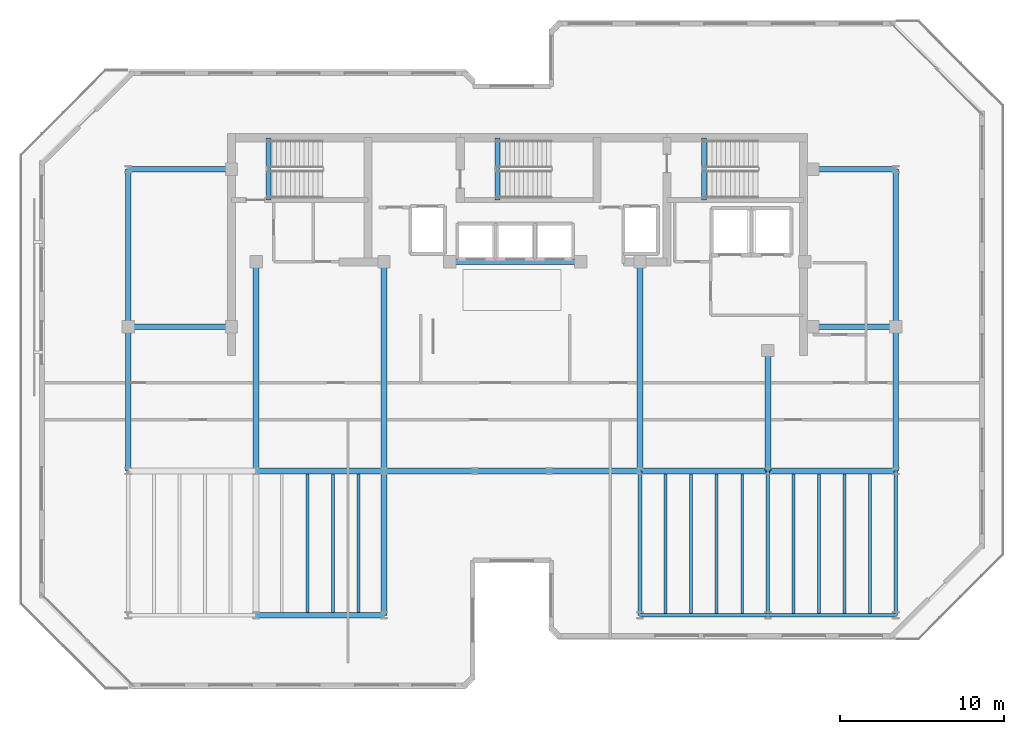
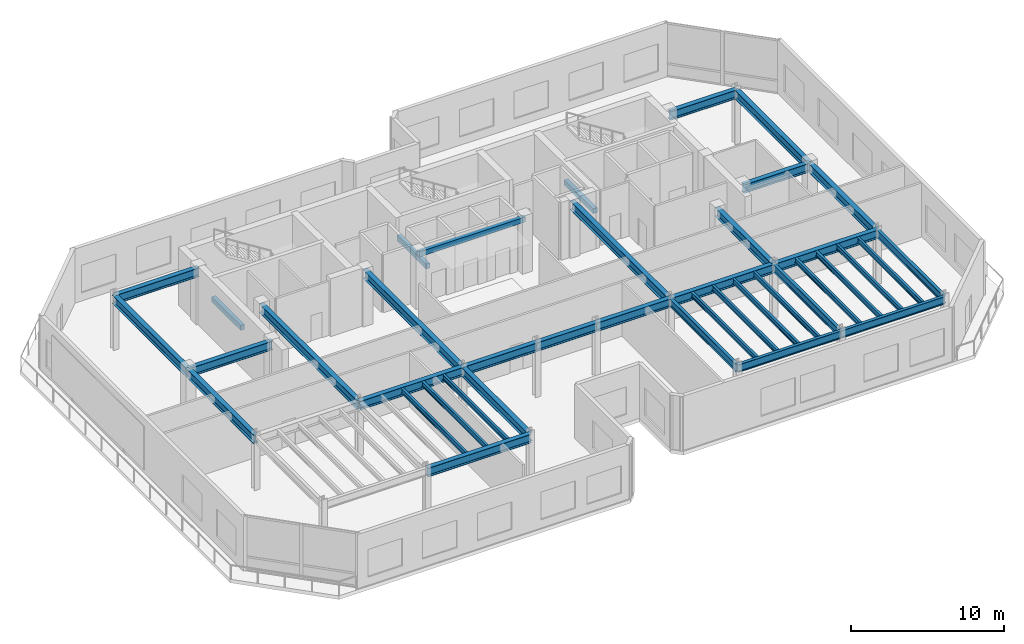
# One storey, part 3 of 12: 40 beams.
"""IFC4 building model written with IfcOpenShell, lengths in metres."""

from ifc_helpers import new_model, si_unit, direction, frame, origin, origin_2d, place, context, subcontext, project, spatial, rectangle, i_section, extrude, material, material_profile, profile_set, type_object, element, save


model = new_model("IFC4")

# Units and contexts
model_context = context("Model", 3, precision=1e-05, world=origin(), true_north=direction((0.0, 1.0)))
body_context = subcontext(model_context, "Body", "Model", "MODEL_VIEW")
ifc_project = project(units=[si_unit("LENGTHUNIT", "METRE"), si_unit("AREAUNIT", "SQUARE_METRE"), si_unit("VOLUMEUNIT", "CUBIC_METRE"), si_unit("PLANEANGLEUNIT", "RADIAN"), si_unit("MASSUNIT", "GRAM", prefix="KILO")], contexts=[model_context])

# Site, building, storey
site_placement = place(None, origin())
site = spatial("IfcSite", under=ifc_project, at=site_placement, CompositionType="ELEMENT")
building_placement = place(site_placement, origin())
building = spatial("IfcBuilding", under=site, at=building_placement, Name="Kestravale Grand Hotel", CompositionType="ELEMENT")
storey_placement = place(building_placement, frame((0.0, 0.0, 302.0)))
storey = spatial("IfcBuildingStorey", under=building, at=storey_placement, Name="L75", CompositionType="ELEMENT", Elevation=302.0)

# Beams
ifc_material_1 = material(Name="Steel ASTM A992 Grade 50", Category="steel")
ifc_material_profile_1 = material_profile(ifc_material_1, i_section(OverallWidth=0.177978515625, OverallDepth=0.404052734375, WebThickness=0.007568359375, FlangeThickness=0.010986328125, FilletRadius=0.01416015625, at=origin_2d()))
ifc_profile_set_1 = profile_set([ifc_material_profile_1], Name="Steel ASTM A992 Grade 50")
beam_type_1 = type_object("IfcBeamType", Name="B-FLR-JST16", PredefinedType="JOIST", material=ifc_profile_set_1)
for number, where, z_axis, x_axis, name in (
    (1, (26.52001953125, 11.3779296875, 4.10791015625), (0.0, 1.0, 0.0), (-1.0, 0.0, 0.0), "L75 floor joist 4-5/C-D #2"),
    (2, (28.080078125, 11.3779296875, 4.10791015625), (0.0, 1.0, 0.0), (-1.0, 0.0, 0.0), "L75 floor joist 4-5/C-D #3"),
    (3, (29.639892578125, 11.3779296875, 4.10791015625), (0.0, 1.0, 0.0), (-1.0, 0.0, 0.0), "L75 floor joist 4-5/C-D #4"),
):
    element("IfcBeam", number, at=place(storey_placement, frame(where, z_axis=z_axis, x_axis=x_axis)), inside=storey, type_object=beam_type_1, Name=name, PredefinedType="JOIST", context=body_context, shape_type="SweptSolid", body=[
        extrude(i_section(OverallWidth=0.177978515625, OverallDepth=0.404052734375, WebThickness=0.007568359375, FlangeThickness=0.010986328125, FilletRadius=0.01416015625, at=origin_2d()), origin(), (0.0, 0.0, 1.0), 8.444091796875),
    ])
for number, where, z_axis, x_axis, name in (
    (4, (48.360107421875, 11.314453125, 4.10791015625), (0.0, 1.0, 0.0), (-1.0, 0.0, 0.0), "L75 floor joist 8-9/C-D #1"),
    (5, (49.919921875, 11.314453125, 4.10791015625), (0.0, 1.0, 0.0), (-1.0, 0.0, 0.0), "L75 floor joist 8-9/C-D #2"),
    (6, (51.47998046875, 11.314453125, 4.10791015625), (0.0, 1.0, 0.0), (-1.0, 0.0, 0.0), "L75 floor joist 8-9/C-D #3"),
    (7, (53.0400390625, 11.314453125, 4.10791015625), (0.0, 1.0, 0.0), (-1.0, 0.0, 0.0), "L75 floor joist 8-9/C-D #4"),
    (8, (56.159912109375, 11.314453125, 4.10791015625), (0.0, 1.0, 0.0), (-1.0, 0.0, 0.0), "L75 floor joist 9-10/C-D #1"),
    (9, (57.719970703125, 11.314453125, 4.10791015625), (0.0, 1.0, 0.0), (-1.0, 0.0, 0.0), "L75 floor joist 9-10/C-D #2"),
    (10, (59.280029296875, 11.314453125, 4.10791015625), (0.0, 1.0, 0.0), (-1.0, 0.0, 0.0), "L75 floor joist 9-10/C-D #3"),
    (11, (60.840087890625, 11.314453125, 4.10791015625), (0.0, 1.0, 0.0), (-1.0, 0.0, 0.0), "L75 floor joist 9-10/C-D #4"),
):
    element("IfcBeam", number, at=place(storey_placement, frame(where, z_axis=z_axis, x_axis=x_axis)), inside=storey, type_object=beam_type_1, Name=name, PredefinedType="JOIST", context=body_context, shape_type="SweptSolid", body=[
        extrude(i_section(OverallWidth=0.177978515625, OverallDepth=0.404052734375, WebThickness=0.007568359375, FlangeThickness=0.010986328125, FilletRadius=0.01416015625, at=origin_2d()), origin(), (0.0, 0.0, 1.0), 8.507568359375),
    ])
ifc_material_2 = material(Name="Concrete f'c 45 MPa", Category="concrete")
ifc_material_profile_2 = material_profile(ifc_material_2, rectangle(XDim=0.300048828125, YDim=0.39990234375, at=origin_2d()))
ifc_profile_set_2 = profile_set([ifc_material_profile_2], Name="Concrete f'c 45 MPa")
beam_type_2 = type_object("IfcBeamType", Name="B-FLR-LNT400", PredefinedType="LINTEL", material=ifc_profile_set_2)
beam_1_placement = place(storey_placement, frame((35.199951171875, 32.75, 4.110107421875), z_axis=(1.0, 0.0, 0.0), x_axis=(0.0, 1.0, 0.0)))
element("IfcBeam", 12, at=beam_1_placement, inside=storey, type_object=beam_type_2, Name="L75 core portal header lintel", PredefinedType="LINTEL", context=body_context, shape_type="SweptSolid", body=[
    extrude(rectangle(XDim=0.300048828125, YDim=0.39990234375, at=origin_2d()), origin(), (0.0, 0.0, 1.0), 8.0),
])
for number, where, z_axis, x_axis, name in (
    (13, (24.159912109375, 36.52001953125, -0.199951171875), (0.0, 1.0, 0.0), (-1.0, 0.0, 0.0), "L75 ST1 flight bottom header beam"),
    (14, (38.110107421875, 36.52001953125, -0.199951171875), (0.0, 1.0, 0.0), (-1.0, 0.0, 0.0), "L75 ST2 flight bottom header beam"),
    (15, (50.7099609375, 36.52001953125, -0.199951171875), (0.0, 1.0, 0.0), (-1.0, 0.0, 0.0), "L75 ST3 flight bottom header beam"),
):
    element("IfcBeam", number, at=place(storey_placement, frame(where, z_axis=z_axis, x_axis=x_axis)), inside=storey, type_object=beam_type_2, Name=name, PredefinedType="LINTEL", context=body_context, shape_type="SweptSolid", body=[
        extrude(rectangle(XDim=0.300048828125, YDim=0.39990234375, at=origin_2d()), origin(), (0.0, 0.0, 1.0), 3.800048828125),
    ])
ifc_material_3 = material(Name="Steel ASTM A992 Grade 50", Category="steel")
ifc_material_profile_3 = material_profile(ifc_material_3, i_section(OverallWidth=0.22900390625, OverallDepth=0.612060546875, WebThickness=0.011962890625, FlangeThickness=0.01953125, FilletRadius=0.019287109375, at=origin_2d()))
ifc_profile_set_3 = profile_set([ifc_material_profile_3], Name="Steel ASTM A992 Grade 50")
beam_type_3 = type_object("IfcBeamType", Name="B-FLR-W24B", PredefinedType="SPANDREL", material=ifc_profile_set_3)
beam_2_placement = place(storey_placement, frame((46.800048828125, 11.199951171875, 4.00390625), z_axis=(1.0, 0.0, 0.0), x_axis=(0.0, 1.0, 0.0)))
element("IfcBeam", 16, at=beam_2_placement, inside=storey, type_object=beam_type_3, Name="L75 spandrel C:8-9", PredefinedType="SPANDREL", context=body_context, shape_type="SweptSolid", body=[
    extrude(i_section(OverallWidth=0.22900390625, OverallDepth=0.612060546875, WebThickness=0.011962890625, FlangeThickness=0.01953125, FilletRadius=0.019287109375, at=origin_2d()), origin(), (0.0, 0.0, 1.0), 7.800048828125),
])
beam_3_placement = place(storey_placement, frame((54.60009765625, 11.199951171875, 4.00390625), z_axis=(1.0, 0.0, 0.0), x_axis=(0.0, 1.0, 0.0)))
element("IfcBeam", 17, at=beam_3_placement, inside=storey, type_object=beam_type_3, Name="L75 spandrel C:9-10", PredefinedType="SPANDREL", context=body_context, shape_type="SweptSolid", body=[
    extrude(i_section(OverallWidth=0.22900390625, OverallDepth=0.612060546875, WebThickness=0.011962890625, FlangeThickness=0.01953125, FilletRadius=0.019287109375, at=origin_2d()), origin(), (0.0, 0.0, 1.0), 7.7998046875),
])
for number, where, z_axis, x_axis, name in (
    (18, (46.800048828125, 11.199951171875, 4.00390625), (0.0, 1.0, 0.0), (-1.0, 0.0, 0.0), "L75 spandrel 8:C-D"),
    (19, (54.60009765625, 11.199951171875, 4.00390625), (0.0, 1.0, 0.0), (-1.0, 0.0, 0.0), "L75 spandrel 9:C-D"),
    (20, (62.39990234375, 11.199951171875, 4.00390625), (0.0, 1.0, 0.0), (-1.0, 0.0, 0.0), "L75 spandrel 10:C-D"),
):
    element("IfcBeam", number, at=place(storey_placement, frame(where, z_axis=z_axis, x_axis=x_axis)), inside=storey, type_object=beam_type_3, Name=name, PredefinedType="SPANDREL", context=body_context, shape_type="SweptSolid", body=[
        extrude(i_section(OverallWidth=0.22900390625, OverallDepth=0.612060546875, WebThickness=0.011962890625, FlangeThickness=0.01953125, FilletRadius=0.019287109375, at=origin_2d()), origin(), (0.0, 0.0, 1.0), 8.800048828125),
    ])
ifc_material_4 = material(Name="Steel ASTM A992 Grade 50", Category="steel")
ifc_material_profile_4 = material_profile(ifc_material_4, i_section(OverallWidth=0.35595703125, OverallDepth=0.696044921875, WebThickness=0.015380859375, FlangeThickness=0.02490234375, FilletRadius=0.021240234375, at=origin_2d()))
ifc_profile_set_4 = profile_set([ifc_material_profile_4], Name="Steel ASTM A992 Grade 50")
beam_type_4 = type_object("IfcBeamType", Name="B-GRD-W27", PredefinedType="BEAM", material=ifc_profile_set_4)
for number, where, z_axis, x_axis, name in (
    (21, (23.39990234375, 11.199951171875, 3.9619140625), (1.0, 0.0, 0.0), (0.0, 1.0, 0.0), "L75 girder C:4-5"),
    (22, (23.39990234375, 20.0, 3.9619140625), (1.0, 0.0, 0.0), (0.0, 1.0, 0.0), "L75 girder D:4-5"),
):
    element("IfcBeam", number, at=place(storey_placement, frame(where, z_axis=z_axis, x_axis=x_axis)), inside=storey, type_object=beam_type_4, Name=name, PredefinedType="BEAM", context=body_context, shape_type="SweptSolid", body=[
        extrude(i_section(OverallWidth=0.35595703125, OverallDepth=0.696044921875, WebThickness=0.015380859375, FlangeThickness=0.02490234375, FilletRadius=0.021240234375, at=origin_2d()), origin(), (0.0, 0.0, 1.0), 7.800048828125),
    ])
beam_4_placement = place(storey_placement, frame((31.199951171875, 20.0, 3.9619140625), z_axis=(1.0, 0.0, 0.0), x_axis=(0.0, 1.0, 0.0)))
element("IfcBeam", 23, at=beam_4_placement, inside=storey, type_object=beam_type_4, Name="L75 girder D:5-6", PredefinedType="BEAM", context=body_context, shape_type="SweptSolid", body=[
    extrude(i_section(OverallWidth=0.35595703125, OverallDepth=0.696044921875, WebThickness=0.015380859375, FlangeThickness=0.02490234375, FilletRadius=0.021240234375, at=origin_2d()), origin(), (0.0, 0.0, 1.0), 5.550048828125),
])
beam_5_placement = place(storey_placement, frame((36.75, 20.0, 3.9619140625), z_axis=(1.0, 0.0, 0.0), x_axis=(0.0, 1.0, 0.0)))
element("IfcBeam", 24, at=beam_5_placement, inside=storey, type_object=beam_type_4, Name="L75 girder D:6-7", PredefinedType="BEAM", context=body_context, shape_type="SweptSolid", body=[
    extrude(i_section(OverallWidth=0.35595703125, OverallDepth=0.696044921875, WebThickness=0.015380859375, FlangeThickness=0.02490234375, FilletRadius=0.021240234375, at=origin_2d()), origin(), (0.0, 0.0, 1.0), 4.5),
])
beam_6_placement = place(storey_placement, frame((41.25, 20.0, 3.9619140625), z_axis=(1.0, 0.0, 0.0), x_axis=(0.0, 1.0, 0.0)))
element("IfcBeam", 25, at=beam_6_placement, inside=storey, type_object=beam_type_4, Name="L75 girder D:7-8", PredefinedType="BEAM", context=body_context, shape_type="SweptSolid", body=[
    extrude(i_section(OverallWidth=0.35595703125, OverallDepth=0.696044921875, WebThickness=0.015380859375, FlangeThickness=0.02490234375, FilletRadius=0.021240234375, at=origin_2d()), origin(), (0.0, 0.0, 1.0), 5.550048828125),
])
beam_7_placement = place(storey_placement, frame((46.800048828125, 20.0, 3.9619140625), z_axis=(1.0, 0.0, 0.0), x_axis=(0.0, 1.0, 0.0)))
element("IfcBeam", 26, at=beam_7_placement, inside=storey, type_object=beam_type_4, Name="L75 girder D:8-9", PredefinedType="BEAM", context=body_context, shape_type="SweptSolid", body=[
    extrude(i_section(OverallWidth=0.35595703125, OverallDepth=0.696044921875, WebThickness=0.015380859375, FlangeThickness=0.02490234375, FilletRadius=0.021240234375, at=origin_2d()), origin(), (0.0, 0.0, 1.0), 7.800048828125),
])
beam_8_placement = place(storey_placement, frame((54.60009765625, 20.0, 3.9619140625), z_axis=(1.0, 0.0, 0.0), x_axis=(0.0, 1.0, 0.0)))
element("IfcBeam", 27, at=beam_8_placement, inside=storey, type_object=beam_type_4, Name="L75 girder D:9-10", PredefinedType="BEAM", context=body_context, shape_type="SweptSolid", body=[
    extrude(i_section(OverallWidth=0.35595703125, OverallDepth=0.696044921875, WebThickness=0.015380859375, FlangeThickness=0.02490234375, FilletRadius=0.021240234375, at=origin_2d()), origin(), (0.0, 0.0, 1.0), 7.7998046875),
])
beam_9_placement = place(storey_placement, frame((15.60009765625, 28.800048828125, 3.9619140625), z_axis=(1.0, 0.0, 0.0), x_axis=(0.0, 1.0, 0.0)))
element("IfcBeam", 28, at=beam_9_placement, inside=storey, type_object=beam_type_4, Name="L75 girder E:3-CW", PredefinedType="BEAM", context=body_context, shape_type="SweptSolid", body=[
    extrude(i_section(OverallWidth=0.35595703125, OverallDepth=0.696044921875, WebThickness=0.015380859375, FlangeThickness=0.02490234375, FilletRadius=0.021240234375, at=origin_2d()), origin(), (0.0, 0.0, 1.0), 6.2998046875),
])
beam_10_placement = place(storey_placement, frame((57.35009765625, 28.800048828125, 3.9619140625), z_axis=(1.0, 0.0, 0.0), x_axis=(0.0, 1.0, 0.0)))
element("IfcBeam", 29, at=beam_10_placement, inside=storey, type_object=beam_type_4, Name="L75 girder E:CE-10", PredefinedType="BEAM", context=body_context, shape_type="SweptSolid", body=[
    extrude(i_section(OverallWidth=0.35595703125, OverallDepth=0.696044921875, WebThickness=0.015380859375, FlangeThickness=0.02490234375, FilletRadius=0.021240234375, at=origin_2d()), origin(), (0.0, 0.0, 1.0), 5.0498046875),
])
beam_11_placement = place(storey_placement, frame((15.60009765625, 38.39990234375, 3.9619140625), z_axis=(1.0, 0.0, 0.0), x_axis=(0.0, 1.0, 0.0)))
element("IfcBeam", 30, at=beam_11_placement, inside=storey, type_object=beam_type_4, Name="L75 girder F:3-CW", PredefinedType="BEAM", context=body_context, shape_type="SweptSolid", body=[
    extrude(i_section(OverallWidth=0.35595703125, OverallDepth=0.696044921875, WebThickness=0.015380859375, FlangeThickness=0.02490234375, FilletRadius=0.021240234375, at=origin_2d()), origin(), (0.0, 0.0, 1.0), 6.2998046875),
])
beam_12_placement = place(storey_placement, frame((57.35009765625, 38.39990234375, 3.9619140625), z_axis=(1.0, 0.0, 0.0), x_axis=(0.0, 1.0, 0.0)))
element("IfcBeam", 31, at=beam_12_placement, inside=storey, type_object=beam_type_4, Name="L75 girder F:CE-10", PredefinedType="BEAM", context=body_context, shape_type="SweptSolid", body=[
    extrude(i_section(OverallWidth=0.35595703125, OverallDepth=0.696044921875, WebThickness=0.015380859375, FlangeThickness=0.02490234375, FilletRadius=0.021240234375, at=origin_2d()), origin(), (0.0, 0.0, 1.0), 5.0498046875),
])
beam_13_placement = place(storey_placement, frame((15.60009765625, 20.0, 3.9619140625), z_axis=(0.0, 1.0, 0.0), x_axis=(-1.0, 0.0, 0.0)))
element("IfcBeam", 32, at=beam_13_placement, inside=storey, type_object=beam_type_4, Name="L75 girder 3:D-E", PredefinedType="BEAM", context=body_context, shape_type="SweptSolid", body=[
    extrude(i_section(OverallWidth=0.35595703125, OverallDepth=0.696044921875, WebThickness=0.015380859375, FlangeThickness=0.02490234375, FilletRadius=0.021240234375, at=origin_2d()), origin(), (0.0, 0.0, 1.0), 8.800048828125),
])
beam_14_placement = place(storey_placement, frame((15.60009765625, 28.800048828125, 3.9619140625), z_axis=(0.0, 1.0, 0.0), x_axis=(-1.0, 0.0, 0.0)))
element("IfcBeam", 33, at=beam_14_placement, inside=storey, type_object=beam_type_4, Name="L75 girder 3:E-F", PredefinedType="BEAM", context=body_context, shape_type="SweptSolid", body=[
    extrude(i_section(OverallWidth=0.35595703125, OverallDepth=0.696044921875, WebThickness=0.015380859375, FlangeThickness=0.02490234375, FilletRadius=0.021240234375, at=origin_2d()), origin(), (0.0, 0.0, 1.0), 9.599853515625),
])
beam_15_placement = place(storey_placement, frame((23.39990234375, 20.0, 3.9619140625), z_axis=(0.0, 1.0, 0.0), x_axis=(-1.0, 0.0, 0.0)))
element("IfcBeam", 34, at=beam_15_placement, inside=storey, type_object=beam_type_4, Name="L75 girder 4:D-CS", PredefinedType="BEAM", context=body_context, shape_type="SweptSolid", body=[
    extrude(i_section(OverallWidth=0.35595703125, OverallDepth=0.696044921875, WebThickness=0.015380859375, FlangeThickness=0.02490234375, FilletRadius=0.021240234375, at=origin_2d()), origin(), (0.0, 0.0, 1.0), 12.75),
])
beam_16_placement = place(storey_placement, frame((31.199951171875, 11.199951171875, 3.9619140625), z_axis=(0.0, 1.0, 0.0), x_axis=(-1.0, 0.0, 0.0)))
element("IfcBeam", 35, at=beam_16_placement, inside=storey, type_object=beam_type_4, Name="L75 girder 5:C-D", PredefinedType="BEAM", context=body_context, shape_type="SweptSolid", body=[
    extrude(i_section(OverallWidth=0.35595703125, OverallDepth=0.696044921875, WebThickness=0.015380859375, FlangeThickness=0.02490234375, FilletRadius=0.021240234375, at=origin_2d()), origin(), (0.0, 0.0, 1.0), 8.800048828125),
])
for number, where, z_axis, x_axis, name in (
    (36, (31.199951171875, 20.0, 3.9619140625), (0.0, 1.0, 0.0), (-1.0, 0.0, 0.0), "L75 girder 5:D-CS"),
    (37, (46.800048828125, 20.0, 3.9619140625), (0.0, 1.0, 0.0), (-1.0, 0.0, 0.0), "L75 girder 8:D-CS"),
):
    element("IfcBeam", number, at=place(storey_placement, frame(where, z_axis=z_axis, x_axis=x_axis)), inside=storey, type_object=beam_type_4, Name=name, PredefinedType="BEAM", context=body_context, shape_type="SweptSolid", body=[
        extrude(i_section(OverallWidth=0.35595703125, OverallDepth=0.696044921875, WebThickness=0.015380859375, FlangeThickness=0.02490234375, FilletRadius=0.021240234375, at=origin_2d()), origin(), (0.0, 0.0, 1.0), 12.75),
    ])
beam_17_placement = place(storey_placement, frame((54.60009765625, 20.0, 3.9619140625), z_axis=(0.0, 1.0, 0.0), x_axis=(-1.0, 0.0, 0.0)))
element("IfcBeam", 38, at=beam_17_placement, inside=storey, type_object=beam_type_4, Name="L75 girder 9:D-CS", PredefinedType="BEAM", context=body_context, shape_type="SweptSolid", body=[
    extrude(i_section(OverallWidth=0.35595703125, OverallDepth=0.696044921875, WebThickness=0.015380859375, FlangeThickness=0.02490234375, FilletRadius=0.021240234375, at=origin_2d()), origin(), (0.0, 0.0, 1.0), 7.35009765625),
])
beam_18_placement = place(storey_placement, frame((62.39990234375, 20.0, 3.9619140625), z_axis=(0.0, 1.0, 0.0), x_axis=(-1.0, 0.0, 0.0)))
element("IfcBeam", 39, at=beam_18_placement, inside=storey, type_object=beam_type_4, Name="L75 girder 10:D-E", PredefinedType="BEAM", context=body_context, shape_type="SweptSolid", body=[
    extrude(i_section(OverallWidth=0.35595703125, OverallDepth=0.696044921875, WebThickness=0.015380859375, FlangeThickness=0.02490234375, FilletRadius=0.021240234375, at=origin_2d()), origin(), (0.0, 0.0, 1.0), 8.800048828125),
])
beam_19_placement = place(storey_placement, frame((62.39990234375, 28.800048828125, 3.9619140625), z_axis=(0.0, 1.0, 0.0), x_axis=(-1.0, 0.0, 0.0)))
element("IfcBeam", 40, at=beam_19_placement, inside=storey, type_object=beam_type_4, Name="L75 girder 10:E-F", PredefinedType="BEAM", context=body_context, shape_type="SweptSolid", body=[
    extrude(i_section(OverallWidth=0.35595703125, OverallDepth=0.696044921875, WebThickness=0.015380859375, FlangeThickness=0.02490234375, FilletRadius=0.021240234375, at=origin_2d()), origin(), (0.0, 0.0, 1.0), 9.599853515625),
])

save(model, "model.ifc")
